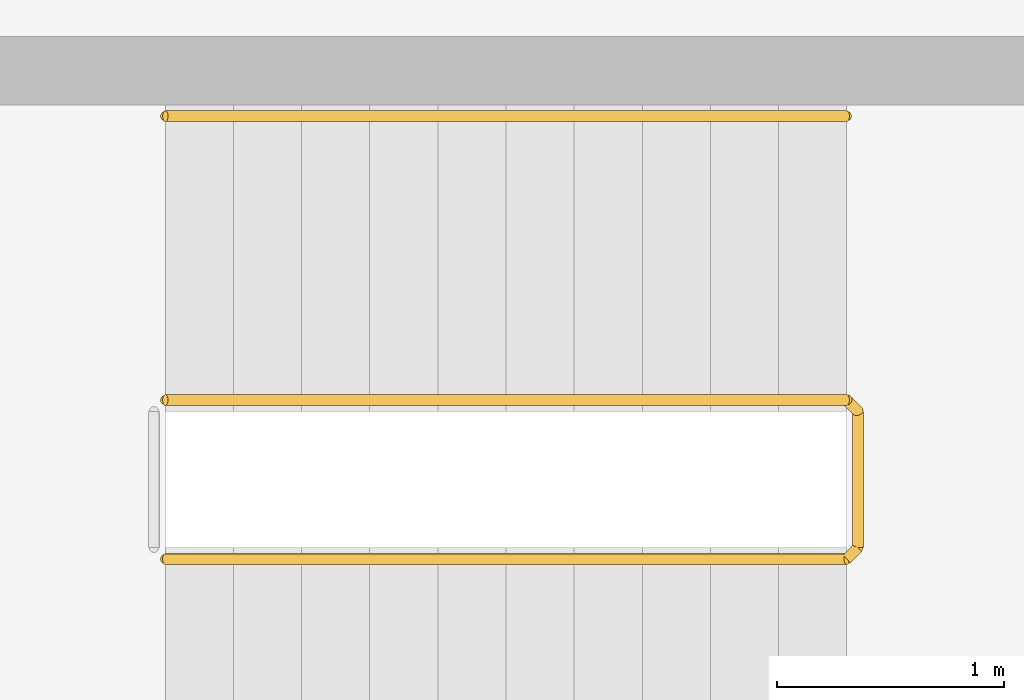
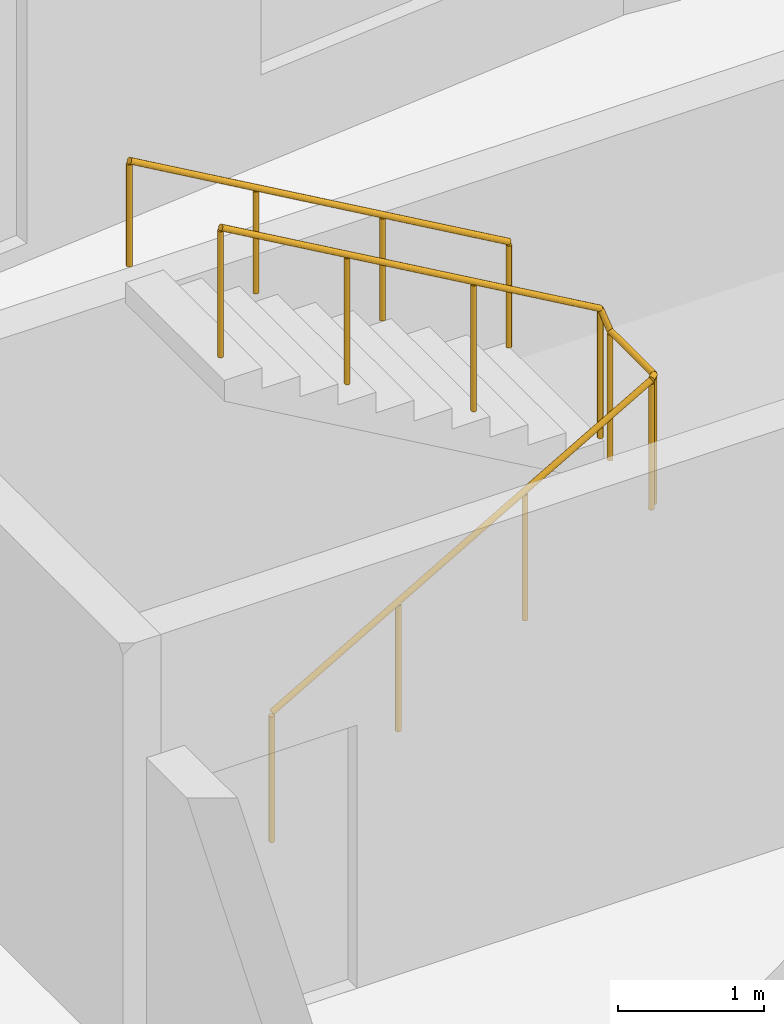
# One storey, part 11 of 11: 2 railings.
"""IFC4 building model written with IfcOpenShell, lengths in metres."""

from ifc_helpers import new_model, si_unit, direction, frame, origin, origin_2d, place, context, subcontext, project, spatial, circle, extrude, material, type_object, element, save


model = new_model("IFC4")

# Units and contexts
model_context = context("Model", 3, precision=1e-05, world=origin(), true_north=direction((0.0, 1.0)))
body_context = subcontext(model_context, "Body", "Model", "MODEL_VIEW")
ifc_project = project(units=[si_unit("LENGTHUNIT", "METRE"), si_unit("AREAUNIT", "SQUARE_METRE"), si_unit("VOLUMEUNIT", "CUBIC_METRE"), si_unit("PLANEANGLEUNIT", "RADIAN"), si_unit("MASSUNIT", "GRAM", prefix="KILO")], contexts=[model_context])

# Site, building, storey
site_placement = place(None, origin())
site = spatial("IfcSite", under=ifc_project, at=site_placement, CompositionType="ELEMENT")
building_placement = place(site_placement, origin())
building = spatial("IfcBuilding", under=site, at=building_placement, Name="Brondeck Convention Tower", CompositionType="ELEMENT")
storey_placement = place(building_placement, frame((0.0, 0.0, 130.300048828125)))
storey = spatial("IfcBuildingStorey", under=building, at=storey_placement, Name="L31", CompositionType="ELEMENT", Elevation=130.300048828125)

# Railings
ifc_material = material(Name="Steel S355", Category="steel")
railing_type_1 = type_object("IfcRailingType", Name="Stair guard 1100", PredefinedType="GUARDRAIL", material=ifc_material)
railing_1_placement = place(storey_placement, frame((37.85009765625, 55.449951171875, 0.172607421875)))
element("IfcRailing", 1, at=railing_1_placement, inside=storey, type_object=railing_type_1, Name="L31 ST-AE stair guard 1", PredefinedType="GUARDRAIL", context=body_context, shape_type="SweptSolid", body=[
    extrude(circle(Radius=0.02392578125, at=origin_2d()), frame((0.0, 0.0, 1.076171875), z_axis=(0.866619684472, 0.0, 0.498969260062), x_axis=(0.0, 1.0, 0.0)), (0.0, 0.0, 1.0), 3.461669921875),
    extrude(circle(Radius=0.02392578125, at=origin_2d()), frame((3.0, 0.0, 2.80322265625), z_axis=(0.705375805398, 0.708833529934, 0.0), x_axis=(-0.708833529934, 0.705375805398, 0.0)), (0.0, 0.0, 1.0), 0.070556640625),
    extrude(circle(Radius=0.02392578125, at=origin_2d()), frame((3.0498046875, 0.050048828125, 2.80322265625), z_axis=(0.0, 1.0, 0.0), x_axis=(-1.0, 0.0, 0.0)), (0.0, 0.0, 1.0), 0.60009765625),
    extrude(circle(Radius=0.02392578125, at=origin_2d()), frame((3.0498046875, 0.650146484375, 2.80322265625), z_axis=(-0.266832911964, 0.266832911964, 0.926067165051), x_axis=(-0.707106781187, -0.707106781187, 0.0)), (0.0, 0.0, 1.0), 0.186767578125),
    extrude(circle(Radius=0.02392578125, at=origin_2d()), frame((3.0, 0.699951171875, 2.97607421875), z_axis=(-0.866619684472, 0.0, 0.498969260062), x_axis=(0.0, -1.0, 0.0)), (0.0, 0.0, 1.0), 3.461669921875),
    extrude(circle(Radius=0.02099609375, at=origin_2d()), origin(), (0.0, 0.0, 1.0), 1.052001953125),
    extrude(circle(Radius=0.02099609375, at=origin_2d()), frame((1.0, 0.0, 0.57568359375)), (0.0, 0.0, 1.0), 1.052001953125),
    extrude(circle(Radius=0.02099609375, at=origin_2d()), frame((2.0, 0.0, 1.151611328125)), (0.0, 0.0, 1.0), 1.052001953125),
    extrude(circle(Radius=0.02099609375, at=origin_2d()), frame((3.0, 0.0, 1.727294921875)), (0.0, 0.0, 1.0), 1.052001953125),
    extrude(circle(Radius=0.02099609375, at=origin_2d()), frame((3.0498046875, 0.050048828125, 1.727294921875)), (0.0, 0.0, 1.0), 1.052001953125),
    extrude(circle(Radius=0.02099609375, at=origin_2d()), frame((3.0498046875, 0.650146484375, 1.727294921875)), (0.0, 0.0, 1.0), 1.052001953125),
    extrude(circle(Radius=0.02099609375, at=origin_2d()), frame((3.0, 0.699951171875, 1.900146484375)), (0.0, 0.0, 1.0), 1.052001953125),
    extrude(circle(Radius=0.02099609375, at=origin_2d()), frame((2.0, 0.699951171875, 2.475830078125)), (0.0, 0.0, 1.0), 1.052001953125),
    extrude(circle(Radius=0.02099609375, at=origin_2d()), frame((1.0, 0.699951171875, 3.0517578125)), (0.0, 0.0, 1.0), 1.052001953125),
    extrude(circle(Radius=0.02099609375, at=origin_2d()), frame((0.0, 0.699951171875, 3.62744140625)), (0.0, 0.0, 1.0), 1.052001953125),
])
railing_type_2 = type_object("IfcRailingType", Name="Stair handrail", PredefinedType="HANDRAIL", material=ifc_material)
railing_2_placement = place(storey_placement, frame((40.85009765625, 57.39990234375, 2.07275390625)))
element("IfcRailing", 2, at=railing_2_placement, inside=storey, type_object=railing_type_2, Name="L31 ST-AE stair handrail 2", PredefinedType="HANDRAIL", context=body_context, shape_type="SweptSolid", body=[
    extrude(circle(Radius=0.02392578125, at=origin_2d()), frame((0.0, 0.0, 0.8759765625), z_axis=(-0.866619684472, 0.0, 0.498969260062), x_axis=(0.0, -1.0, 0.0)), (0.0, 0.0, 1.0), 3.461669921875),
    extrude(circle(Radius=0.02099609375, at=origin_2d()), origin(), (0.0, 0.0, 1.0), 0.851806640625),
    extrude(circle(Radius=0.02099609375, at=origin_2d()), frame((-1.0, 0.0, 0.57568359375)), (0.0, 0.0, 1.0), 0.851806640625),
    extrude(circle(Radius=0.02099609375, at=origin_2d()), frame((-2.0, 0.0, 1.151611328125)), (0.0, 0.0, 1.0), 0.851806640625),
    extrude(circle(Radius=0.02099609375, at=origin_2d()), frame((-3.0, 0.0, 1.727294921875)), (0.0, 0.0, 1.0), 0.851806640625),
])

save(model, "model.ifc")
